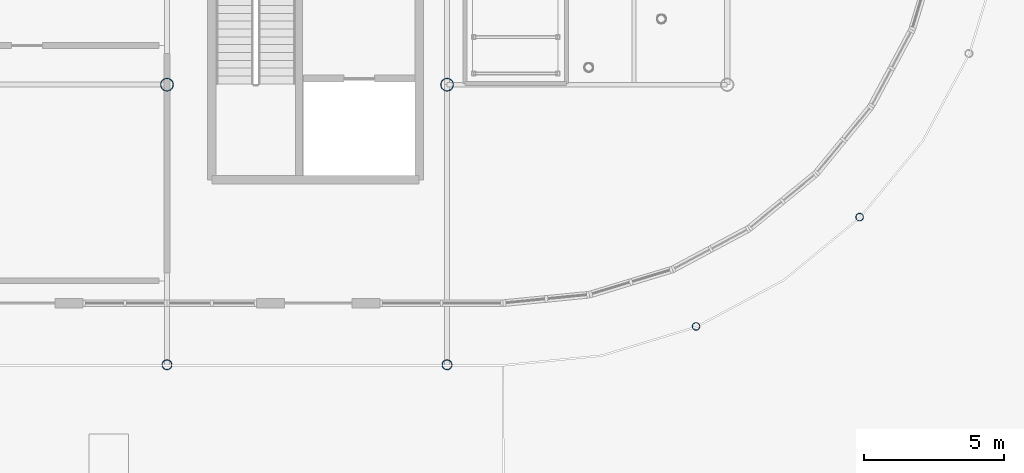
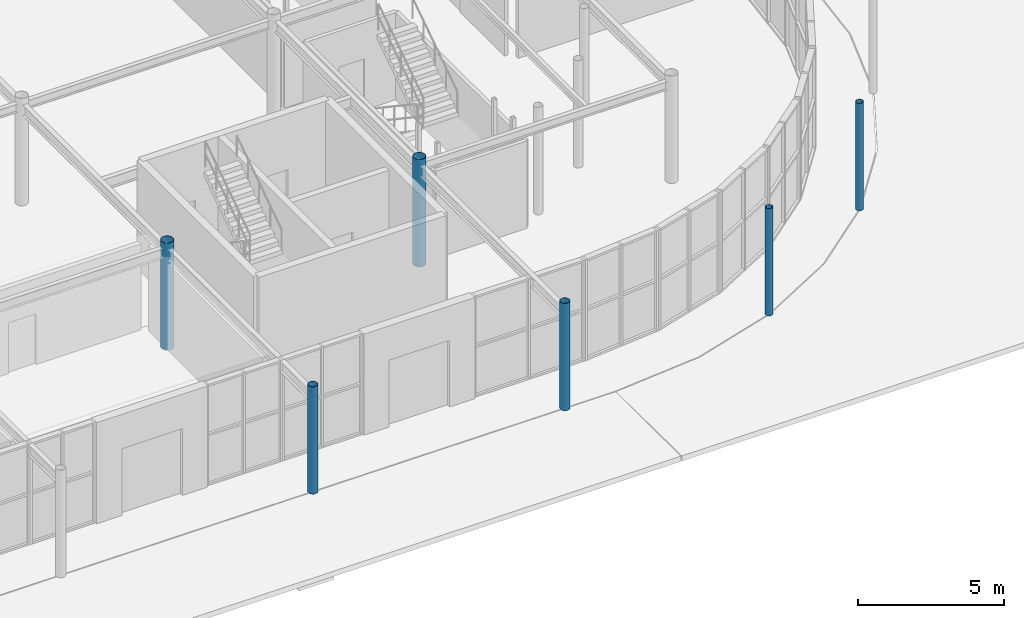
# One storey, part 26 of 119: 6 columns.
"""IFC4 building model written with IfcOpenShell, lengths in metres."""

from ifc_helpers import new_model, si_unit, derived_unit, direction, frame, origin, origin_2d_with_axis, place, context, subcontext, project, spatial, hollow_circle, extrude, material, material_profile, profile_set, type_object, element, save


model = new_model("IFC4")

# Units and contexts
model_context = context("Model", 3, precision=1e-05, world=origin(), true_north=direction((0.0, 1.0)))
body_context = subcontext(model_context, "Body", "Model", "MODEL_VIEW")
ifc_project = project(units=[si_unit("LENGTHUNIT", "METRE"), si_unit("AREAUNIT", "SQUARE_METRE"), si_unit("VOLUMEUNIT", "CUBIC_METRE"), si_unit("PLANEANGLEUNIT", "RADIAN"), si_unit("MASSUNIT", "GRAM", prefix="KILO"), derived_unit("THERMALTRANSMITTANCEUNIT", [(si_unit("POWERUNIT", "WATT"), 1), (si_unit("LENGTHUNIT", "METRE"), -2), (si_unit("THERMODYNAMICTEMPERATUREUNIT", "KELVIN"), -1)])], contexts=[model_context])

# Site, building, storey
site_placement = place(None, origin())
site = spatial("IfcSite", under=ifc_project, at=site_placement, CompositionType="ELEMENT")
building_placement = place(site_placement, origin())
building = spatial("IfcBuilding", under=site, at=building_placement, Name="Cinnabar Yard Market Hall", CompositionType="ELEMENT")
storey_placement = place(building_placement, origin())
storey = spatial("IfcBuildingStorey", under=building, at=storey_placement, Name="L00", CompositionType="ELEMENT", Elevation=0.0)

# Columns
ifc_material = material(Name="Spotted-gum glulam-clad steel Grade 350 (350 MPa)", Category="steel")
ifc_material_profile_1 = material_profile(ifc_material, hollow_circle(Radius=0.228515625, WallThickness=0.0126953125, at=origin_2d_with_axis()), Name="457.0x12.7CHS")
ifc_profile_set_1 = profile_set([ifc_material_profile_1], Name="Spotted-gum glulam-clad steel Grade 350 (350 MPa)")
column_type_1 = type_object("IfcColumnType", Name="COL-C01", PredefinedType="COLUMN", material=ifc_profile_set_1)
for number, where, z_axis, x_axis, name in (
    (1, (136.0, 24.0, 0.0), (0.0, 0.0, 1.0), (1.0, 0.0, 0.0), "Tree Column V1I-07-01 L00"),
    (2, (146.0, 24.0, 0.0), (0.0, 0.0, 1.0), (1.0, 0.0, 0.0), "Tree Column V1I-08-01 L00"),
):
    element("IfcColumn", number, at=place(storey_placement, frame(where, z_axis=z_axis, x_axis=x_axis)), inside=storey, type_object=column_type_1, Name=name, PredefinedType="COLUMN", context=body_context, shape_type="SweptSolid", body=[
        extrude(hollow_circle(Radius=0.228515625, WallThickness=0.0126953125, at=origin_2d_with_axis()), origin(), (0.0, 0.0, 1.0), 4.5),
    ])
ifc_material_profile_2 = material_profile(ifc_material, hollow_circle(Radius=0.177734375, WallThickness=0.0126953125, at=origin_2d_with_axis()), Name="355.6x12.7CHS")
ifc_profile_set_2 = profile_set([ifc_material_profile_2], Name="Spotted-gum glulam-clad steel Grade 350 (350 MPa)")
column_type_2 = type_object("IfcColumnType", Name="COL-C02E", PredefinedType="COLUMN", material=ifc_profile_set_2)
for number, where, z_axis, x_axis, name in (
    (3, (136.0, 14.0, 0.0), (0.0, 0.0, 1.0), (1.0, 0.0, 0.0), "Tree Column V1S-06 L00"),
    (4, (146.0, 14.0, 0.0), (0.0, 0.0, 1.0), (1.0, 0.0, 0.0), "Tree Column V1S-07 L00"),
):
    element("IfcColumn", number, at=place(storey_placement, frame(where, z_axis=z_axis, x_axis=x_axis)), inside=storey, type_object=column_type_2, Name=name, PredefinedType="COLUMN", context=body_context, shape_type="SweptSolid", body=[
        extrude(hollow_circle(Radius=0.177734375, WallThickness=0.0126953125, at=origin_2d_with_axis()), origin(), (0.0, 0.0, 1.0), 4.5),
    ])
ifc_material_profile_3 = material_profile(ifc_material, hollow_circle(Radius=0.136474609375, WallThickness=0.00927734375, at=origin_2d_with_axis()), Name="273.1x9.3CHS")
ifc_profile_set_3 = profile_set([ifc_material_profile_3], Name="Spotted-gum glulam-clad steel Grade 350 (350 MPa)")
column_type_3 = type_object("IfcColumnType", Name="COL-C04E", PredefinedType="COLUMN", material=ifc_profile_set_3)
for number, where, z_axis, x_axis, name in (
    (5, (154.88818359375, 15.3701171875, 0.0), (0.0, 0.0, 1.0), (1.0, 0.0, 0.0), "Tree Column V1C-SE2 L00"),
    (6, (160.727783203125, 19.272216796875, 0.0), (0.0, 0.0, 1.0), (1.0, 0.0, 0.0), "Tree Column V1C-SE4 L00"),
):
    element("IfcColumn", number, at=place(storey_placement, frame(where, z_axis=z_axis, x_axis=x_axis)), inside=storey, type_object=column_type_3, Name=name, PredefinedType="COLUMN", context=body_context, shape_type="SweptSolid", body=[
        extrude(hollow_circle(Radius=0.136474609375, WallThickness=0.00927734375, at=origin_2d_with_axis()), origin(), (0.0, 0.0, 1.0), 4.5),
    ])

save(model, "model.ifc")
